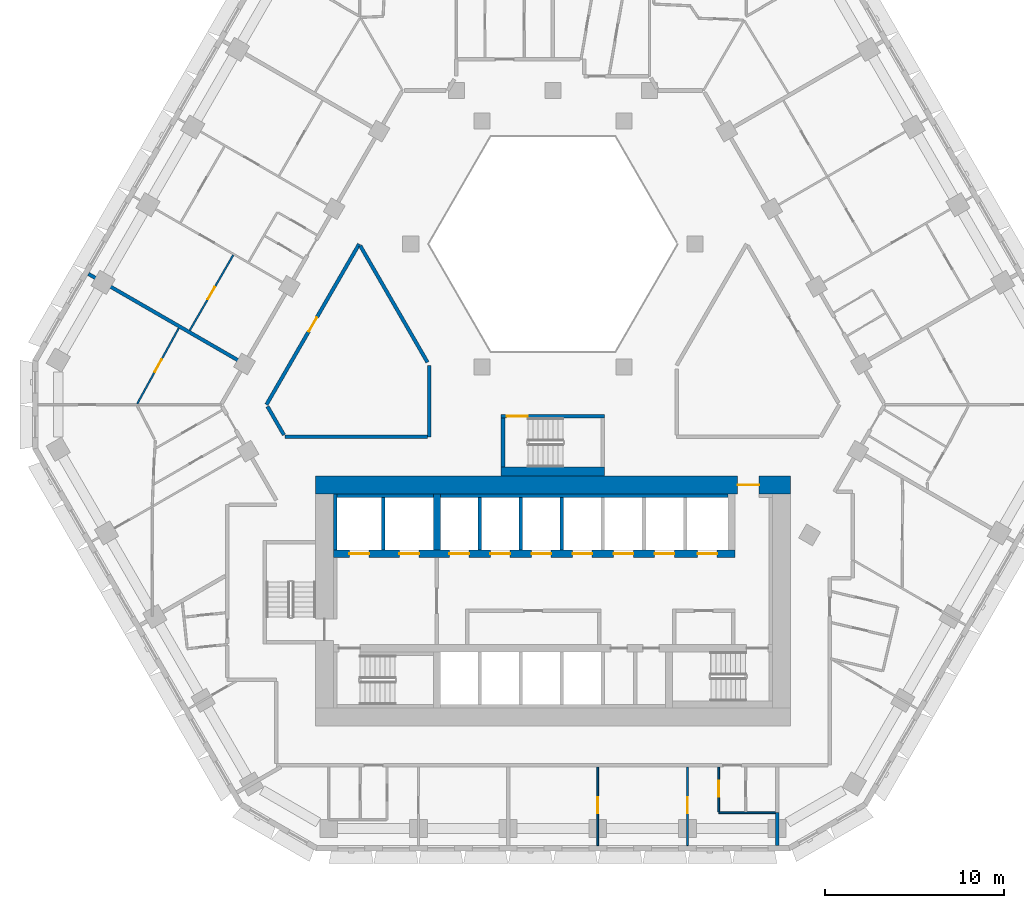
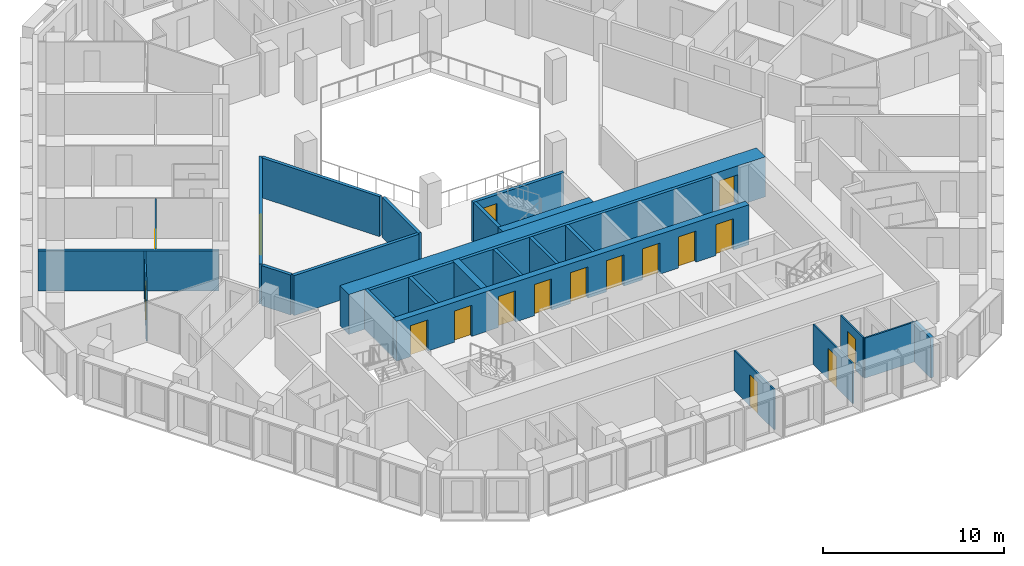
# One storey, part 5 of 18: 26 walls, 17 doors, 17 openings.
"""IFC4 building model written with IfcOpenShell, lengths in metres."""

from ifc_helpers import new_model, si_unit, direction, frame, frame_2d, origin, place, context, subcontext, project, spatial, rectangle, extrude, material, layer, layer_set, type_object, element, fill, save


model = new_model("IFC4")

# Units and contexts
model_context = context("Model", 3, precision=1e-05, world=origin(), true_north=direction((0.0, 1.0)))
body_context = subcontext(model_context, "Body", "Model", "MODEL_VIEW")
ifc_project = project(units=[si_unit("LENGTHUNIT", "METRE"), si_unit("AREAUNIT", "SQUARE_METRE"), si_unit("VOLUMEUNIT", "CUBIC_METRE"), si_unit("PLANEANGLEUNIT", "RADIAN"), si_unit("MASSUNIT", "GRAM", prefix="KILO")], contexts=[model_context])

# Site, building, storey
site_placement = place(None, origin())
site = spatial("IfcSite", under=ifc_project, at=site_placement, CompositionType="ELEMENT")
building_placement = place(site_placement, origin())
building = spatial("IfcBuilding", under=site, at=building_placement, Name="Beryl Residences", CompositionType="ELEMENT")
storey_placement = place(building_placement, frame((0.0, 0.0, 87.0)))
storey = spatial("IfcBuildingStorey", under=building, at=storey_placement, Name="L26", CompositionType="ELEMENT", Elevation=87.0)

# Wall, opening, door
ifc_material_1 = material(Name="Gypsum board partition on steel studs", Category="steel")
ifc_layer_1 = layer(ifc_material_1, 0.10009765625)
ifc_layer_set_1 = layer_set([ifc_layer_1], Name="PT1 partition 100 mm gypsum board on steel studs")
wall_type_1 = type_object("IfcWallType", Name="PT1 partition 100 mm gypsum board on steel studs", PredefinedType="PARTITIONING", material=ifc_layer_set_1)
wall_1_placement = place(storey_placement, frame((9.29296875, -21.300048828125, 0.0), z_axis=(0.0, 0.0, 1.0), x_axis=(0.0, -1.0, 0.0)))
wall_1 = element("IfcWall", 1, at=wall_1_placement, inside=storey, type_object=wall_type_1, Name="Wall PT1 L26 016", PredefinedType="PARTITIONING", context=body_context, shape_type="SweptSolid", body=[
    extrude(rectangle(XDim=2.509033203125, YDim=0.10009765625, at=frame_2d((1.25439453125, 0.0))), origin(), (0.0, 0.0, 1.0), 2.699951171875),
])
opening_1_placement = place(wall_1_placement, frame((0.780029296875, 0.0, 0.0)))
opening_1 = element("IfcOpeningElement", 2, at=opening_1_placement, cuts=wall_1, Name="Opening D0634", PredefinedType="OPENING", context=body_context, shape_type="SweptSolid", body=[
    extrude(rectangle(XDim=0.89990234375, YDim=2.10009765625, at=frame_2d((0.449951171875, 1.050048828125))), frame((0.0, 0.06005859375, 0.0), z_axis=(0.0, -1.0, 0.0), x_axis=(1.0, 0.0, 0.0)), (0.0, 0.0, 1.0), 0.1201171875),
])
ifc_material_2 = material(Name="Timber door leaf", Category="wood")
door_type_1 = type_object("IfcDoorType", Name="D2 room door 900 x 2100 mm", OperationType="SINGLE_SWING_LEFT", PredefinedType="DOOR", material=ifc_material_2)
door_1_placement = place(opening_1_placement, origin())
door_1 = element("IfcDoor", 3, at=door_1_placement, inside=storey, type_object=door_type_1, Name="Door D0634 L26 001", OperationType="SINGLE_SWING_RIGHT", OverallHeight=2.10009765625, OverallWidth=0.89990234375, PredefinedType="DOOR", context=body_context, shape_type="SweptSolid", body=[
    extrude(rectangle(XDim=0.89990234375, YDim=2.10009765625, at=frame_2d((0.449951171875, 1.050048828125))), frame((0.0, 0.02490234375, 0.0), z_axis=(0.0, -1.0, 0.0), x_axis=(1.0, 0.0, 0.0)), (0.0, 0.0, 1.0), 0.050048828125),
])
fill(opening_1, door_1)

# Wall
wall_2_placement = place(storey_placement, frame((9.2939453125, -23.860107421875, 0.0), z_axis=(0.0, 0.0, 1.0), x_axis=(1.0, 0.0, 0.0)))
element("IfcWall", 4, at=wall_2_placement, inside=storey, type_object=wall_type_1, Name="Wall PT1 L26 034", PredefinedType="PARTITIONING", context=body_context, shape_type="SweptSolid", body=[
    extrude(rectangle(XDim=3.1640625, YDim=0.10009765625, at=frame_2d((1.58203125, 0.0))), origin(), (0.0, 0.0, 1.0), 2.699951171875),
])

# Wall, opening, door
wall_3_placement = place(storey_placement, frame((-20.344970703125, 3.162109375, 0.0), z_axis=(0.0, 0.0, 1.0), x_axis=(0.499943653708, 0.866057932887, 0.0)))
wall_3 = element("IfcWall", 5, at=wall_3_placement, inside=storey, type_object=wall_type_1, Name="Wall PT1 L26 043", PredefinedType="PARTITIONING", context=body_context, shape_type="SweptSolid", body=[
    extrude(rectangle(XDim=4.87255859375, YDim=0.10009765625, at=frame_2d((2.436279296875, 0.0))), origin(), (0.0, 0.0, 1.0), 2.699951171875),
])
opening_2_placement = place(wall_3_placement, frame((2.010986328125, 0.0, 0.0)))
opening_2 = element("IfcOpeningElement", 6, at=opening_2_placement, cuts=wall_3, Name="Opening D0616", PredefinedType="OPENING", context=body_context, shape_type="SweptSolid", body=[
    extrude(rectangle(XDim=0.800048828125, YDim=2.10009765625, at=frame_2d((0.39990234375, 1.050048828125))), frame((0.0, 0.06005859375, 0.0), z_axis=(0.0, -1.0, 0.0), x_axis=(1.0, 0.0, 0.0)), (0.0, 0.0, 1.0), 0.1201171875),
])
ifc_material_3 = material(Name="Timber door leaf", Category="wood")
door_type_2 = type_object("IfcDoorType", Name="D3 bathroom door 800 x 2100 mm", OperationType="SINGLE_SWING_LEFT", PredefinedType="DOOR", material=ifc_material_3)
door_2_placement = place(opening_2_placement, origin())
door_2 = element("IfcDoor", 7, at=door_2_placement, inside=storey, type_object=door_type_2, Name="Door D0616 L26 001", OperationType="SINGLE_SWING_RIGHT", OverallHeight=2.10009765625, OverallWidth=0.800048828125, PredefinedType="DOOR", context=body_context, shape_type="SweptSolid", body=[
    extrude(rectangle(XDim=0.800048828125, YDim=2.10009765625, at=frame_2d((0.39990234375, 1.050048828125))), frame((0.0, 0.02490234375, 0.0), z_axis=(0.0, -1.0, 0.0), x_axis=(1.0, 0.0, 0.0)), (0.0, 0.0, 1.0), 0.050048828125),
])
fill(opening_2, door_2)

wall_4_placement = place(storey_placement, frame((-23.2890625, -0.950927734375, 0.0), z_axis=(0.0, 0.0, 1.0), x_axis=(0.481164463081, 0.876630343684, 0.0)))
wall_4 = element("IfcWall", 8, at=wall_4_placement, inside=storey, type_object=wall_type_1, Name="Wall PT1 L26 046", PredefinedType="PARTITIONING", context=body_context, shape_type="SweptSolid", body=[
    extrude(rectangle(XDim=4.83447265625, YDim=0.10009765625, at=frame_2d((2.417236328125, 0.0))), origin(), (0.0, 0.0, 1.0), 2.699951171875),
])
opening_3_placement = place(wall_4_placement, frame((2.0390625, 0.0, 0.0)))
opening_3 = element("IfcOpeningElement", 9, at=opening_3_placement, cuts=wall_4, Name="Opening D0624", PredefinedType="OPENING", context=body_context, shape_type="SweptSolid", body=[
    extrude(rectangle(XDim=0.800048828125, YDim=2.10009765625, at=frame_2d((0.39990234375, 1.050048828125))), frame((0.0, 0.06005859375, 0.0), z_axis=(0.0, -1.0, 0.0), x_axis=(1.0, 0.0, 0.0)), (0.0, 0.0, 1.0), 0.1201171875),
])
door_3_placement = place(opening_3_placement, origin())
door_3 = element("IfcDoor", 10, at=door_3_placement, inside=storey, type_object=door_type_2, Name="Door D0624 L26 001", OperationType="SINGLE_SWING_RIGHT", OverallHeight=2.10009765625, OverallWidth=0.800048828125, PredefinedType="DOOR", context=body_context, shape_type="SweptSolid", body=[
    extrude(rectangle(XDim=0.800048828125, YDim=2.10009765625, at=frame_2d((0.39990234375, 1.050048828125))), frame((0.0, 0.02490234375, 0.0), z_axis=(0.0, -1.0, 0.0), x_axis=(1.0, 0.0, 0.0)), (0.0, 0.0, 1.0), 0.050048828125),
])
fill(opening_3, door_3)

wall_5_placement = place(storey_placement, frame((7.534912109375, -25.699951171875, 0.0), z_axis=(0.0, 0.0, 1.0), x_axis=(0.0, 1.0, 0.0)))
wall_5 = element("IfcWall", 11, at=wall_5_placement, inside=storey, type_object=wall_type_1, Name="Wall PT1 L26 056", PredefinedType="PARTITIONING", context=body_context, shape_type="SweptSolid", body=[
    extrude(rectangle(XDim=4.39990234375, YDim=0.10009765625, at=frame_2d((2.199951171875, 0.0))), origin(), (0.0, 0.0, 1.0), 2.699951171875),
])
opening_4_placement = place(wall_5_placement, frame((1.800048828125, 0.0, 0.0)))
opening_4 = element("IfcOpeningElement", 12, at=opening_4_placement, cuts=wall_5, Name="Opening D0636", PredefinedType="OPENING", context=body_context, shape_type="SweptSolid", body=[
    extrude(rectangle(XDim=0.89990234375, YDim=2.10009765625, at=frame_2d((0.449951171875, 1.050048828125))), frame((0.0, 0.06005859375, 0.0), z_axis=(0.0, -1.0, 0.0), x_axis=(1.0, 0.0, 0.0)), (0.0, 0.0, 1.0), 0.1201171875),
])
door_4_placement = place(opening_4_placement, origin())
door_4 = element("IfcDoor", 13, at=door_4_placement, inside=storey, type_object=door_type_1, Name="Door D0636 L26 001", OperationType="SINGLE_SWING_RIGHT", OverallHeight=2.10009765625, OverallWidth=0.89990234375, PredefinedType="DOOR", context=body_context, shape_type="SweptSolid", body=[
    extrude(rectangle(XDim=0.89990234375, YDim=2.10009765625, at=frame_2d((0.449951171875, 1.050048828125))), frame((0.0, 0.02490234375, 0.0), z_axis=(0.0, -1.0, 0.0), x_axis=(1.0, 0.0, 0.0)), (0.0, 0.0, 1.0), 0.050048828125),
])
fill(opening_4, door_4)

wall_6_placement = place(storey_placement, frame((2.511962890625, -25.699951171875, 0.0), z_axis=(0.0, 0.0, 1.0), x_axis=(0.0, 1.0, 0.0)))
wall_6 = element("IfcWall", 14, at=wall_6_placement, inside=storey, type_object=wall_type_1, Name="Wall PT1 L26 059", PredefinedType="PARTITIONING", context=body_context, shape_type="SweptSolid", body=[
    extrude(rectangle(XDim=4.39990234375, YDim=0.10009765625, at=frame_2d((2.199951171875, 0.0))), origin(), (0.0, 0.0, 1.0), 2.699951171875),
])
opening_5_placement = place(wall_6_placement, frame((1.800048828125, 0.0, 0.0)))
opening_5 = element("IfcOpeningElement", 15, at=opening_5_placement, cuts=wall_6, Name="Opening D0637", PredefinedType="OPENING", context=body_context, shape_type="SweptSolid", body=[
    extrude(rectangle(XDim=0.89990234375, YDim=2.10009765625, at=frame_2d((0.449951171875, 1.050048828125))), frame((0.0, 0.06005859375, 0.0), z_axis=(0.0, -1.0, 0.0), x_axis=(1.0, 0.0, 0.0)), (0.0, 0.0, 1.0), 0.1201171875),
])
door_5_placement = place(opening_5_placement, origin())
door_5 = element("IfcDoor", 16, at=door_5_placement, inside=storey, type_object=door_type_1, Name="Door D0637 L26 001", OperationType="SINGLE_SWING_LEFT", OverallHeight=2.10009765625, OverallWidth=0.89990234375, PredefinedType="DOOR", context=body_context, shape_type="SweptSolid", body=[
    extrude(rectangle(XDim=0.89990234375, YDim=2.10009765625, at=frame_2d((0.449951171875, 1.050048828125))), frame((0.0, 0.02490234375, 0.0), z_axis=(0.0, -1.0, 0.0), x_axis=(1.0, 0.0, 0.0)), (0.0, 0.0, 1.0), 0.050048828125),
])
fill(opening_5, door_5)

# Walls
ifc_material_4 = material(Name="Acoustic double stud gypsum board wall")
ifc_layer_2 = layer(ifc_material_4, 0.199951171875)
ifc_layer_set_2 = layer_set([ifc_layer_2], Name="PT3 party wall 200 mm acoustic double stud")
wall_type_2 = type_object("IfcWallType", Name="PT3 party wall 200 mm acoustic double stud", PredefinedType="PARTITIONING", material=ifc_layer_set_2)
wall_7_placement = place(storey_placement, frame((12.55810546875, -23.860107421875, 0.0), z_axis=(0.0, 0.0, 1.0), x_axis=(0.0, -1.0, 0.0)))
element("IfcWall", 17, at=wall_7_placement, inside=storey, type_object=wall_type_2, Name="Wall PT3 L26 001", PredefinedType="PARTITIONING", context=body_context, shape_type="SweptSolid", body=[
    extrude(rectangle(XDim=1.83984375, YDim=0.199951171875, at=frame_2d((0.919921875, 0.0))), origin(), (0.0, 0.0, 1.0), 2.699951171875),
])
wall_8_placement = place(storey_placement, frame((-26.02490234375, 6.324951171875, 0.0), z_axis=(0.0, 0.0, 1.0), x_axis=(0.866041268327, -0.499972520799, 0.0)))
element("IfcWall", 18, at=wall_8_placement, inside=storey, type_object=wall_type_2, Name="Wall PT3 L26 002", PredefinedType="PARTITIONING", context=body_context, shape_type="SweptSolid", body=[
    extrude(rectangle(XDim=10.00048828125, YDim=0.199951171875, at=frame_2d((5.000244140625, 0.0))), origin(), (0.0, 0.0, 1.0), 2.699951171875),
])
ifc_material_5 = material(Name="Double stud gypsum board wall")
ifc_layer_3 = layer(ifc_material_5, 0.199951171875)
ifc_layer_set_3 = layer_set([ifc_layer_3], Name="PT4 corridor wall 200 mm double stud")
wall_type_3 = type_object("IfcWallType", Name="PT4 corridor wall 200 mm double stud", PredefinedType="PARTITIONING", material=ifc_layer_set_3)
wall_9_placement = place(storey_placement, frame((-10.7958984375, 7.89892578125, 0.0), z_axis=(0.0, 0.0, 1.0), x_axis=(0.500010383074, -0.866019409031, 0.0)))
element("IfcWall", 19, at=wall_9_placement, inside=storey, type_object=wall_type_3, Name="Wall PT4 L26 001", PredefinedType="PARTITIONING", context=body_context, shape_type="SweptSolid", body=[
    extrude(rectangle(XDim=7.535400390625, YDim=0.199951171875, at=frame_2d((3.767578125, 0.0))), origin(), (0.0, 0.0, 1.0), 2.699951171875),
])
wall_10_placement = place(storey_placement, frame((-15.992919921875, -1.10107421875, 0.0), z_axis=(0.0, 0.0, 1.0), x_axis=(0.499894174133, -0.866086493757, 0.0)))
element("IfcWall", 20, at=wall_10_placement, inside=storey, type_object=wall_type_3, Name="Wall PT4 L26 002", PredefinedType="PARTITIONING", context=body_context, shape_type="SweptSolid", body=[
    extrude(rectangle(XDim=1.84619140625, YDim=0.199951171875, at=frame_2d((0.923095703125, 0.0))), origin(), (0.0, 0.0, 1.0), 2.699951171875),
])
wall_11_placement = place(storey_placement, frame((-15.010986328125, -2.800048828125, 0.0), z_axis=(0.0, 0.0, 1.0), x_axis=(1.0, 0.0, 0.0)))
element("IfcWall", 21, at=wall_11_placement, inside=storey, type_object=wall_type_3, Name="Wall PT4 L26 017", PredefinedType="PARTITIONING", context=body_context, shape_type="SweptSolid", body=[
    extrude(rectangle(XDim=7.98193359375, YDim=0.199951171875, at=frame_2d((3.990966796875, 0.0))), origin(), (0.0, 0.0, 1.0), 2.699951171875),
])

# Wall, opening, door
wall_12_placement = place(storey_placement, frame((-16.050048828125, -1.0, 0.0), z_axis=(0.0, 0.0, 1.0), x_axis=(0.499962449088, 0.866047082728, 0.0)))
wall_12 = element("IfcWall", 22, at=wall_12_placement, inside=storey, type_object=wall_type_3, Name="Wall PT4 L26 026", PredefinedType="PARTITIONING", context=body_context, shape_type="SweptSolid", body=[
    extrude(rectangle(XDim=10.390869140625, YDim=0.199951171875, at=frame_2d((5.1953125, 0.0))), origin(), (0.0, 0.0, 1.0), 2.699951171875),
])
opening_6_placement = place(wall_12_placement, frame((4.7451171875, 0.0, 0.0)))
opening_6 = element("IfcOpeningElement", 23, at=opening_6_placement, cuts=wall_12, Name="Opening D0666", PredefinedType="OPENING", context=body_context, shape_type="SweptSolid", body=[
    extrude(rectangle(XDim=0.89990234375, YDim=2.10009765625, at=frame_2d((0.449951171875, 1.050048828125))), frame((0.0, 0.10986328125, 0.0), z_axis=(0.0, -1.0, 0.0), x_axis=(1.0, 0.0, 0.0)), (0.0, 0.0, 1.0), 0.219970703125),
])
door_6_placement = place(opening_6_placement, origin())
door_6 = element("IfcDoor", 24, at=door_6_placement, inside=storey, type_object=door_type_1, Name="Door D0666 L26 001", OperationType="SINGLE_SWING_RIGHT", OverallHeight=2.10009765625, OverallWidth=0.89990234375, PredefinedType="DOOR", context=body_context, shape_type="SweptSolid", body=[
    extrude(rectangle(XDim=0.89990234375, YDim=2.10009765625, at=frame_2d((0.449951171875, 1.050048828125))), frame((0.0, 0.02490234375, 0.0), z_axis=(0.0, -1.0, 0.0), x_axis=(1.0, 0.0, 0.0)), (0.0, 0.0, 1.0), 0.050048828125),
])
fill(opening_6, door_6)

# Wall
wall_13_placement = place(storey_placement, frame((-6.927978515625, -2.799072265625, 0.0), z_axis=(0.0, 0.0, 1.0), x_axis=(0.0, 1.0, 0.0)))
element("IfcWall", 25, at=wall_13_placement, inside=storey, type_object=wall_type_3, Name="Wall PT4 L26 032", PredefinedType="PARTITIONING", context=body_context, shape_type="SweptSolid", body=[
    extrude(rectangle(XDim=3.9990234375, YDim=0.199951171875, at=frame_2d((1.99951171875, 0.0))), origin(), (0.0, 0.0, 1.0), 2.699951171875),
])

# Wall, opening, door
ifc_material_6 = material(Name="Concrete C40/50", Category="concrete")
ifc_layer_4 = layer(ifc_material_6, 0.199951171875)
ifc_layer_set_4 = layer_set([ifc_layer_4], Name="PT5 stair enclosure wall 200 mm reinforced concrete C40/50")
wall_type_4 = type_object("IfcWallType", Name="PT5 stair enclosure wall 200 mm reinforced concrete C40/50", PredefinedType="SOLIDWALL", material=ifc_layer_set_4)
wall_14_placement = place(storey_placement, frame((-2.89990234375, -1.64990234375, 0.0), z_axis=(0.0, 0.0, 1.0), x_axis=(1.0, 0.0, 0.0)))
wall_14 = element("IfcWall", 26, at=wall_14_placement, inside=storey, type_object=wall_type_4, Name="Wall PT5 L26 001", PredefinedType="SOLIDWALL", context=body_context, shape_type="SweptSolid", body=[
    extrude(rectangle(XDim=5.7998046875, YDim=0.199951171875, at=frame_2d((2.89990234375, 0.0))), origin(), (0.0, 0.0, 1.0), 2.699951171875),
])
opening_7_placement = place(wall_14_placement, frame((0.300048828125, 0.0, 0.0)))
opening_7 = element("IfcOpeningElement", 27, at=opening_7_placement, cuts=wall_14, Name="Opening DS04", PredefinedType="OPENING", context=body_context, shape_type="SweptSolid", body=[
    extrude(rectangle(XDim=1.199951171875, YDim=2.10009765625, at=frame_2d((0.60009765625, 1.050048828125))), frame((0.0, 0.10986328125, 0.0), z_axis=(0.0, -1.0, 0.0), x_axis=(1.0, 0.0, 0.0)), (0.0, 0.0, 1.0), 0.219970703125),
])
ifc_material_7 = material(Name="Steel door leaf in steel frame", Category="steel")
door_type_3 = type_object("IfcDoorType", Name="D4 stair door 1200 x 2100 mm", OperationType="SINGLE_SWING_LEFT", PredefinedType="DOOR", material=ifc_material_7)
door_7_placement = place(opening_7_placement, origin())
door_7 = element("IfcDoor", 28, at=door_7_placement, inside=storey, type_object=door_type_3, Name="Door DS04 L26 001", OperationType="SINGLE_SWING_LEFT", OverallHeight=2.10009765625, OverallWidth=1.199951171875, PredefinedType="DOOR", context=body_context, shape_type="SweptSolid", body=[
    extrude(rectangle(XDim=1.199951171875, YDim=2.10009765625, at=frame_2d((0.60009765625, 1.050048828125))), frame((0.0, 0.02490234375, 0.0), z_axis=(0.0, -1.0, 0.0), x_axis=(1.0, 0.0, 0.0)), (0.0, 0.0, 1.0), 0.050048828125),
])
fill(opening_7, door_7)

# Walls
wall_15_placement = place(storey_placement, frame((-2.800048828125, -4.5, 0.0), z_axis=(0.0, 0.0, 1.0), x_axis=(0.0, 1.0, 0.0)))
element("IfcWall", 29, at=wall_15_placement, inside=storey, type_object=wall_type_4, Name="Wall PT5 L26 002", PredefinedType="SOLIDWALL", context=body_context, shape_type="SweptSolid", body=[
    extrude(rectangle(XDim=2.75, YDim=0.199951171875, at=frame_2d((1.375, 0.0))), origin(), (0.0, 0.0, 1.0), 2.699951171875),
])
ifc_material_8 = material(Name="Concrete C40/50", Category="concrete")
ifc_layer_5 = layer(ifc_material_8, 0.5)
ifc_layer_set_5 = layer_set([ifc_layer_5], Name="PT5-500 stair enclosure wall 500 mm")
wall_type_5 = type_object("IfcWallType", Name="PT5-500 stair enclosure wall 500 mm", PredefinedType="SOLIDWALL", material=ifc_layer_set_5)
wall_16_placement = place(storey_placement, frame((-2.89990234375, -4.75, 0.0), z_axis=(0.0, 0.0, 1.0), x_axis=(1.0, 0.0, 0.0)))
element("IfcWall", 30, at=wall_16_placement, inside=storey, type_object=wall_type_5, Name="Wall PT5-500 L26 001", PredefinedType="SOLIDWALL", context=body_context, shape_type="SweptSolid", body=[
    extrude(rectangle(XDim=5.7998046875, YDim=0.5, at=frame_2d((2.89990234375, 0.0))), origin(), (0.0, 0.0, 1.0), 2.699951171875),
])
ifc_material_9 = material(Name="Concrete C40/50", Category="concrete")
ifc_layer_6 = layer(ifc_material_9, 0.199951171875)
ifc_layer_set_6 = layer_set([ifc_layer_6], Name="PT6 lift shaft wall 200 mm reinforced concrete C40/50")
wall_type_6 = type_object("IfcWallType", Name="PT6 lift shaft wall 200 mm reinforced concrete C40/50", PredefinedType="SOLIDWALL", material=ifc_layer_set_6)
wall_17_placement = place(storey_placement, frame((-12.199951171875, -9.14990234375, 0.0), z_axis=(0.0, 0.0, 1.0), x_axis=(0.0, 1.0, 0.0)))
element("IfcWall", 31, at=wall_17_placement, inside=storey, type_object=wall_type_6, Name="Lift shaft wall 06", PredefinedType="SOLIDWALL", context=body_context, shape_type="SweptSolid", body=[
    extrude(rectangle(XDim=3.14990234375, YDim=0.199951171875, at=frame_2d((1.574951171875, 0.0))), origin(), (0.0, 0.0, 1.0), 2.699951171875),
])
wall_18_placement = place(storey_placement, frame((-12.10009765625, -6.10009765625, 0.0), z_axis=(0.0, 0.0, 1.0), x_axis=(1.0, 0.0, 0.0)))
element("IfcWall", 32, at=wall_18_placement, inside=storey, type_object=wall_type_6, Name="Lift shaft wall 08", PredefinedType="SOLIDWALL", context=body_context, shape_type="SweptSolid", body=[
    extrude(rectangle(XDim=5.400146484375, YDim=0.199951171875, at=frame_2d((2.7001953125, 0.0))), origin(), (0.0, 0.0, 1.0), 2.699951171875),
])
wall_19_placement = place(storey_placement, frame((-9.5, -9.14990234375, 0.0), z_axis=(0.0, 0.0, 1.0), x_axis=(0.0, 1.0, 0.0)))
element("IfcWall", 33, at=wall_19_placement, inside=storey, type_object=wall_type_6, Name="Lift shaft wall 10", PredefinedType="SOLIDWALL", context=body_context, shape_type="SweptSolid", body=[
    extrude(rectangle(XDim=2.949951171875, YDim=0.199951171875, at=frame_2d((1.47509765625, 0.0))), origin(), (0.0, 0.0, 1.0), 2.699951171875),
])
wall_20_placement = place(storey_placement, frame((-6.300048828125, -6.10009765625, 0.0), z_axis=(0.0, 0.0, 1.0), x_axis=(1.0, 0.0, 0.0)))
element("IfcWall", 34, at=wall_20_placement, inside=storey, type_object=wall_type_6, Name="Lift shaft wall 13", PredefinedType="SOLIDWALL", context=body_context, shape_type="SweptSolid", body=[
    extrude(rectangle(XDim=16.10009765625, YDim=0.199951171875, at=frame_2d((8.050048828125, 0.0))), origin(), (0.0, 0.0, 1.0), 2.699951171875),
])
for number, where, z_axis, x_axis, name in (
    (35, (-4.10009765625, -9.14990234375, 0.0), (0.0, 0.0, 1.0), (0.0, 1.0, 0.0), "Lift shaft wall 17"),
    (36, (-1.800048828125, -9.14990234375, 0.0), (0.0, 0.0, 1.0), (0.0, 1.0, 0.0), "Lift shaft wall 19"),
    (37, (0.5, -9.14990234375, 0.0), (0.0, 0.0, 1.0), (0.0, 1.0, 0.0), "Lift shaft wall 21"),
):
    element("IfcWall", number, at=place(storey_placement, frame(where, z_axis=z_axis, x_axis=x_axis)), inside=storey, type_object=wall_type_6, Name=name, PredefinedType="SOLIDWALL", context=body_context, shape_type="SweptSolid", body=[
        extrude(rectangle(XDim=2.949951171875, YDim=0.199951171875, at=frame_2d((1.47509765625, 0.0))), origin(), (0.0, 0.0, 1.0), 2.699951171875),
    ])

# Wall, opening, door
ifc_material_10 = material(Name="Concrete C70/85", Category="concrete")
ifc_layer_7 = layer(ifc_material_10, 1.0)
ifc_layer_set_7 = layer_set([ifc_layer_7], Name="SW2 core outer wall 1000 mm C70/85")
wall_type_7 = type_object("IfcWallType", Name="SW2 core outer wall 1000 mm C70/85", PredefinedType="SHEAR", material=ifc_layer_set_7)
wall_21_placement = place(storey_placement, frame((-13.300048828125, -5.5, 0.0), z_axis=(0.0, 0.0, 1.0), x_axis=(1.0, 0.0, 0.0)))
wall_21 = element("IfcWall", 38, at=wall_21_placement, inside=storey, type_object=wall_type_7, Name="Core wall N L26", PredefinedType="SHEAR", context=body_context, shape_type="SweptSolid", body=[
    extrude(rectangle(XDim=26.60009765625, YDim=1.0, at=frame_2d((13.300048828125, 0.0))), origin(), (0.0, 0.0, 1.0), 2.699951171875),
])
opening_8_placement = place(wall_21_placement, frame((23.64990234375, 0.0, 0.0)))
opening_8 = element("IfcOpeningElement", 39, at=opening_8_placement, cuts=wall_21, Name="Opening FD-NORTH", PredefinedType="OPENING", context=body_context, shape_type="SweptSolid", body=[
    extrude(rectangle(XDim=1.199951171875, YDim=2.10009765625, at=frame_2d((0.60009765625, 1.050048828125))), frame((0.0, 0.510009765625, 0.0), z_axis=(0.0, -1.0, 0.0), x_axis=(1.0, 0.0, 0.0)), (0.0, 0.0, 1.0), 1.02001953125),
])
ifc_material_11 = material(Name="Steel door leaf in steel frame", Category="steel")
door_type_4 = type_object("IfcDoorType", Name="D22 lobby door 1200 x 2100 mm", OperationType="DOUBLE_DOOR_SINGLE_SWING", PredefinedType="DOOR", material=ifc_material_11)
door_8_placement = place(opening_8_placement, origin())
door_8 = element("IfcDoor", 40, at=door_8_placement, inside=storey, type_object=door_type_4, Name="Door FD-NORTH L26 001", OperationType="DOUBLE_DOOR_SINGLE_SWING", OverallHeight=2.10009765625, OverallWidth=1.199951171875, PredefinedType="DOOR", context=body_context, shape_type="SweptSolid", body=[
    extrude(rectangle(XDim=1.199951171875, YDim=2.10009765625, at=frame_2d((0.60009765625, 1.050048828125))), frame((0.0, 0.02490234375, 0.0), z_axis=(0.0, -1.0, 0.0), x_axis=(1.0, 0.0, 0.0)), (0.0, 0.0, 1.0), 0.050048828125),
])
fill(opening_8, door_8)

# Wall, openings, doors
ifc_material_12 = material(Name="Concrete C70/85", Category="concrete")
ifc_layer_8 = layer(ifc_material_12, 0.39990234375)
ifc_layer_set_8 = layer_set([ifc_layer_8], Name="SW7 core internal wall 400 mm C70/85")
wall_type_8 = type_object("IfcWallType", Name="SW7 core internal wall 400 mm C70/85", PredefinedType="SHEAR", material=ifc_layer_set_8)
wall_22_placement = place(storey_placement, frame((-12.300048828125, -9.35009765625, 0.0), z_axis=(0.0, 0.0, 1.0), x_axis=(1.0, 0.0, 0.0)))
wall_22 = element("IfcWall", 41, at=wall_22_placement, inside=storey, type_object=wall_type_8, Name="Core wall SP2 L26", PredefinedType="SHEAR", context=body_context, shape_type="SweptSolid", body=[
    extrude(rectangle(XDim=22.5, YDim=0.39990234375, at=frame_2d((11.25, 0.0))), origin(), (0.0, 0.0, 1.0), 2.699951171875),
])
opening_9_placement = place(wall_22_placement, frame((0.89990234375, 0.0, 0.0)))
opening_9 = element("IfcOpeningElement", 42, at=opening_9_placement, cuts=wall_22, Name="Opening LD-FF1", PredefinedType="OPENING", context=body_context, shape_type="SweptSolid", body=[
    extrude(rectangle(XDim=1.10009765625, YDim=2.10009765625, at=frame_2d((0.550048828125, 1.050048828125))), frame((0.0, 0.2099609375, 0.0), z_axis=(0.0, -1.0, 0.0), x_axis=(1.0, 0.0, 0.0)), (0.0, 0.0, 1.0), 0.419921875),
])
opening_10_placement = place(wall_22_placement, frame((3.699951171875, 0.0, 0.0)))
opening_10 = element("IfcOpeningElement", 43, at=opening_10_placement, cuts=wall_22, Name="Opening LD-FF2", PredefinedType="OPENING", context=body_context, shape_type="SweptSolid", body=[
    extrude(rectangle(XDim=1.10009765625, YDim=2.10009765625, at=frame_2d((0.550048828125, 1.050048828125))), frame((0.0, 0.2099609375, 0.0), z_axis=(0.0, -1.0, 0.0), x_axis=(1.0, 0.0, 0.0)), (0.0, 0.0, 1.0), 0.419921875),
])
opening_11_placement = place(wall_22_placement, frame((6.5, 0.0, 0.0)))
opening_11 = element("IfcOpeningElement", 44, at=opening_11_placement, cuts=wall_22, Name="Opening LD-LR1", PredefinedType="OPENING", context=body_context, shape_type="SweptSolid", body=[
    extrude(rectangle(XDim=1.10009765625, YDim=2.10009765625, at=frame_2d((0.550048828125, 1.050048828125))), frame((0.0, 0.2099609375, 0.0), z_axis=(0.0, -1.0, 0.0), x_axis=(1.0, 0.0, 0.0)), (0.0, 0.0, 1.0), 0.419921875),
])
opening_12_placement = place(wall_22_placement, frame((8.800048828125, 0.0, 0.0)))
opening_12 = element("IfcOpeningElement", 45, at=opening_12_placement, cuts=wall_22, Name="Opening LD-LR2", PredefinedType="OPENING", context=body_context, shape_type="SweptSolid", body=[
    extrude(rectangle(XDim=1.10009765625, YDim=2.10009765625, at=frame_2d((0.550048828125, 1.050048828125))), frame((0.0, 0.2099609375, 0.0), z_axis=(0.0, -1.0, 0.0), x_axis=(1.0, 0.0, 0.0)), (0.0, 0.0, 1.0), 0.419921875),
])
opening_13_placement = place(wall_22_placement, frame((11.10009765625, 0.0, 0.0)))
opening_13 = element("IfcOpeningElement", 46, at=opening_13_placement, cuts=wall_22, Name="Opening LD-LR3", PredefinedType="OPENING", context=body_context, shape_type="SweptSolid", body=[
    extrude(rectangle(XDim=1.10009765625, YDim=2.10009765625, at=frame_2d((0.550048828125, 1.050048828125))), frame((0.0, 0.2099609375, 0.0), z_axis=(0.0, -1.0, 0.0), x_axis=(1.0, 0.0, 0.0)), (0.0, 0.0, 1.0), 0.419921875),
])
opening_14_placement = place(wall_22_placement, frame((13.39990234375, 0.0, 0.0)))
opening_14 = element("IfcOpeningElement", 47, at=opening_14_placement, cuts=wall_22, Name="Opening LD-LR4", PredefinedType="OPENING", context=body_context, shape_type="SweptSolid", body=[
    extrude(rectangle(XDim=1.10009765625, YDim=2.10009765625, at=frame_2d((0.550048828125, 1.050048828125))), frame((0.0, 0.2099609375, 0.0), z_axis=(0.0, -1.0, 0.0), x_axis=(1.0, 0.0, 0.0)), (0.0, 0.0, 1.0), 0.419921875),
])
opening_15_placement = place(wall_22_placement, frame((15.699951171875, 0.0, 0.0)))
opening_15 = element("IfcOpeningElement", 48, at=opening_15_placement, cuts=wall_22, Name="Opening LD-LR5", PredefinedType="OPENING", context=body_context, shape_type="SweptSolid", body=[
    extrude(rectangle(XDim=1.10009765625, YDim=2.10009765625, at=frame_2d((0.550048828125, 1.050048828125))), frame((0.0, 0.2099609375, 0.0), z_axis=(0.0, -1.0, 0.0), x_axis=(1.0, 0.0, 0.0)), (0.0, 0.0, 1.0), 0.419921875),
])
opening_16_placement = place(wall_22_placement, frame((18.0, 0.0, 0.0)))
opening_16 = element("IfcOpeningElement", 49, at=opening_16_placement, cuts=wall_22, Name="Opening LD-LR6", PredefinedType="OPENING", context=body_context, shape_type="SweptSolid", body=[
    extrude(rectangle(XDim=1.10009765625, YDim=2.10009765625, at=frame_2d((0.550048828125, 1.050048828125))), frame((0.0, 0.2099609375, 0.0), z_axis=(0.0, -1.0, 0.0), x_axis=(1.0, 0.0, 0.0)), (0.0, 0.0, 1.0), 0.419921875),
])
opening_17_placement = place(wall_22_placement, frame((20.39990234375, 0.0, 0.0)))
opening_17 = element("IfcOpeningElement", 50, at=opening_17_placement, cuts=wall_22, Name="Opening LD-SL1", PredefinedType="OPENING", context=body_context, shape_type="SweptSolid", body=[
    extrude(rectangle(XDim=1.10009765625, YDim=2.10009765625, at=frame_2d((0.550048828125, 1.050048828125))), frame((0.0, 0.2099609375, 0.0), z_axis=(0.0, -1.0, 0.0), x_axis=(1.0, 0.0, 0.0)), (0.0, 0.0, 1.0), 0.419921875),
])
ifc_material_13 = material(Name="Stainless steel sliding door", Category="steel")
door_type_5 = type_object("IfcDoorType", Name="LD1 lift landing door 1100 x 2100 mm", OperationType="DOUBLE_DOOR_SLIDING", PredefinedType="DOOR", material=ifc_material_13)
door_9_placement = place(opening_9_placement, origin())
door_9 = element("IfcDoor", 51, at=door_9_placement, inside=storey, type_object=door_type_5, Name="Lift landing door FF1", OperationType="DOUBLE_DOOR_SLIDING", OverallHeight=2.10009765625, OverallWidth=1.10009765625, PredefinedType="DOOR", context=body_context, shape_type="SweptSolid", body=[
    extrude(rectangle(XDim=1.10009765625, YDim=2.10009765625, at=frame_2d((0.550048828125, 1.050048828125))), frame((0.0, 0.02490234375, 0.0), z_axis=(0.0, -1.0, 0.0), x_axis=(1.0, 0.0, 0.0)), (0.0, 0.0, 1.0), 0.050048828125),
])
fill(opening_9, door_9)
door_10_placement = place(opening_10_placement, origin())
door_10 = element("IfcDoor", 52, at=door_10_placement, inside=storey, type_object=door_type_5, Name="Lift landing door FF2", OperationType="DOUBLE_DOOR_SLIDING", OverallHeight=2.10009765625, OverallWidth=1.10009765625, PredefinedType="DOOR", context=body_context, shape_type="SweptSolid", body=[
    extrude(rectangle(XDim=1.10009765625, YDim=2.10009765625, at=frame_2d((0.550048828125, 1.050048828125))), frame((0.0, 0.02490234375, 0.0), z_axis=(0.0, -1.0, 0.0), x_axis=(1.0, 0.0, 0.0)), (0.0, 0.0, 1.0), 0.050048828125),
])
fill(opening_10, door_10)
door_11_placement = place(opening_11_placement, origin())
door_11 = element("IfcDoor", 53, at=door_11_placement, inside=storey, type_object=door_type_5, Name="Lift landing door LR1", OperationType="DOUBLE_DOOR_SLIDING", OverallHeight=2.10009765625, OverallWidth=1.10009765625, PredefinedType="DOOR", context=body_context, shape_type="SweptSolid", body=[
    extrude(rectangle(XDim=1.10009765625, YDim=2.10009765625, at=frame_2d((0.550048828125, 1.050048828125))), frame((0.0, 0.02490234375, 0.0), z_axis=(0.0, -1.0, 0.0), x_axis=(1.0, 0.0, 0.0)), (0.0, 0.0, 1.0), 0.050048828125),
])
fill(opening_11, door_11)
door_12_placement = place(opening_12_placement, origin())
door_12 = element("IfcDoor", 54, at=door_12_placement, inside=storey, type_object=door_type_5, Name="Lift landing door LR2", OperationType="DOUBLE_DOOR_SLIDING", OverallHeight=2.10009765625, OverallWidth=1.10009765625, PredefinedType="DOOR", context=body_context, shape_type="SweptSolid", body=[
    extrude(rectangle(XDim=1.10009765625, YDim=2.10009765625, at=frame_2d((0.550048828125, 1.050048828125))), frame((0.0, 0.02490234375, 0.0), z_axis=(0.0, -1.0, 0.0), x_axis=(1.0, 0.0, 0.0)), (0.0, 0.0, 1.0), 0.050048828125),
])
fill(opening_12, door_12)
door_13_placement = place(opening_13_placement, origin())
door_13 = element("IfcDoor", 55, at=door_13_placement, inside=storey, type_object=door_type_5, Name="Lift landing door LR3", OperationType="DOUBLE_DOOR_SLIDING", OverallHeight=2.10009765625, OverallWidth=1.10009765625, PredefinedType="DOOR", context=body_context, shape_type="SweptSolid", body=[
    extrude(rectangle(XDim=1.10009765625, YDim=2.10009765625, at=frame_2d((0.550048828125, 1.050048828125))), frame((0.0, 0.02490234375, 0.0), z_axis=(0.0, -1.0, 0.0), x_axis=(1.0, 0.0, 0.0)), (0.0, 0.0, 1.0), 0.050048828125),
])
fill(opening_13, door_13)
door_14_placement = place(opening_14_placement, origin())
door_14 = element("IfcDoor", 56, at=door_14_placement, inside=storey, type_object=door_type_5, Name="Lift landing door LR4", OperationType="DOUBLE_DOOR_SLIDING", OverallHeight=2.10009765625, OverallWidth=1.10009765625, PredefinedType="DOOR", context=body_context, shape_type="SweptSolid", body=[
    extrude(rectangle(XDim=1.10009765625, YDim=2.10009765625, at=frame_2d((0.550048828125, 1.050048828125))), frame((0.0, 0.02490234375, 0.0), z_axis=(0.0, -1.0, 0.0), x_axis=(1.0, 0.0, 0.0)), (0.0, 0.0, 1.0), 0.050048828125),
])
fill(opening_14, door_14)
door_15_placement = place(opening_15_placement, origin())
door_15 = element("IfcDoor", 57, at=door_15_placement, inside=storey, type_object=door_type_5, Name="Lift landing door LR5", OperationType="DOUBLE_DOOR_SLIDING", OverallHeight=2.10009765625, OverallWidth=1.10009765625, PredefinedType="DOOR", context=body_context, shape_type="SweptSolid", body=[
    extrude(rectangle(XDim=1.10009765625, YDim=2.10009765625, at=frame_2d((0.550048828125, 1.050048828125))), frame((0.0, 0.02490234375, 0.0), z_axis=(0.0, -1.0, 0.0), x_axis=(1.0, 0.0, 0.0)), (0.0, 0.0, 1.0), 0.050048828125),
])
fill(opening_15, door_15)
door_16_placement = place(opening_16_placement, origin())
door_16 = element("IfcDoor", 58, at=door_16_placement, inside=storey, type_object=door_type_5, Name="Lift landing door LR6", OperationType="DOUBLE_DOOR_SLIDING", OverallHeight=2.10009765625, OverallWidth=1.10009765625, PredefinedType="DOOR", context=body_context, shape_type="SweptSolid", body=[
    extrude(rectangle(XDim=1.10009765625, YDim=2.10009765625, at=frame_2d((0.550048828125, 1.050048828125))), frame((0.0, 0.02490234375, 0.0), z_axis=(0.0, -1.0, 0.0), x_axis=(1.0, 0.0, 0.0)), (0.0, 0.0, 1.0), 0.050048828125),
])
fill(opening_16, door_16)
door_17_placement = place(opening_17_placement, origin())
door_17 = element("IfcDoor", 59, at=door_17_placement, inside=storey, type_object=door_type_5, Name="Lift landing door SL1", OperationType="DOUBLE_DOOR_SLIDING", OverallHeight=2.10009765625, OverallWidth=1.10009765625, PredefinedType="DOOR", context=body_context, shape_type="SweptSolid", body=[
    extrude(rectangle(XDim=1.10009765625, YDim=2.10009765625, at=frame_2d((0.550048828125, 1.050048828125))), frame((0.0, 0.02490234375, 0.0), z_axis=(0.0, -1.0, 0.0), x_axis=(1.0, 0.0, 0.0)), (0.0, 0.0, 1.0), 0.050048828125),
])
fill(opening_17, door_17)

# Wall
wall_23_placement = place(storey_placement, frame((-6.5, -9.14990234375, 0.0), z_axis=(0.0, 0.0, 1.0), x_axis=(0.0, 1.0, 0.0)))
element("IfcWall", 60, at=wall_23_placement, inside=storey, type_object=wall_type_8, Name="Core wall XN1 L26", PredefinedType="SHEAR", context=body_context, shape_type="SweptSolid", body=[
    extrude(rectangle(XDim=3.14990234375, YDim=0.39990234375, at=frame_2d((1.574951171875, 0.0))), origin(), (0.0, 0.0, 1.0), 2.699951171875),
])

save(model, "model.ifc")
